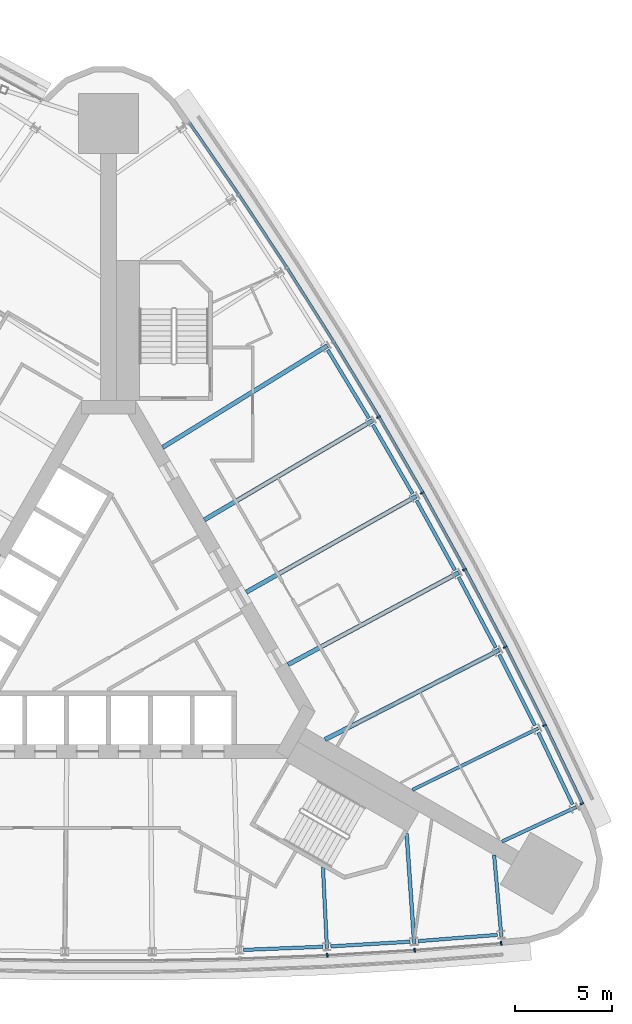
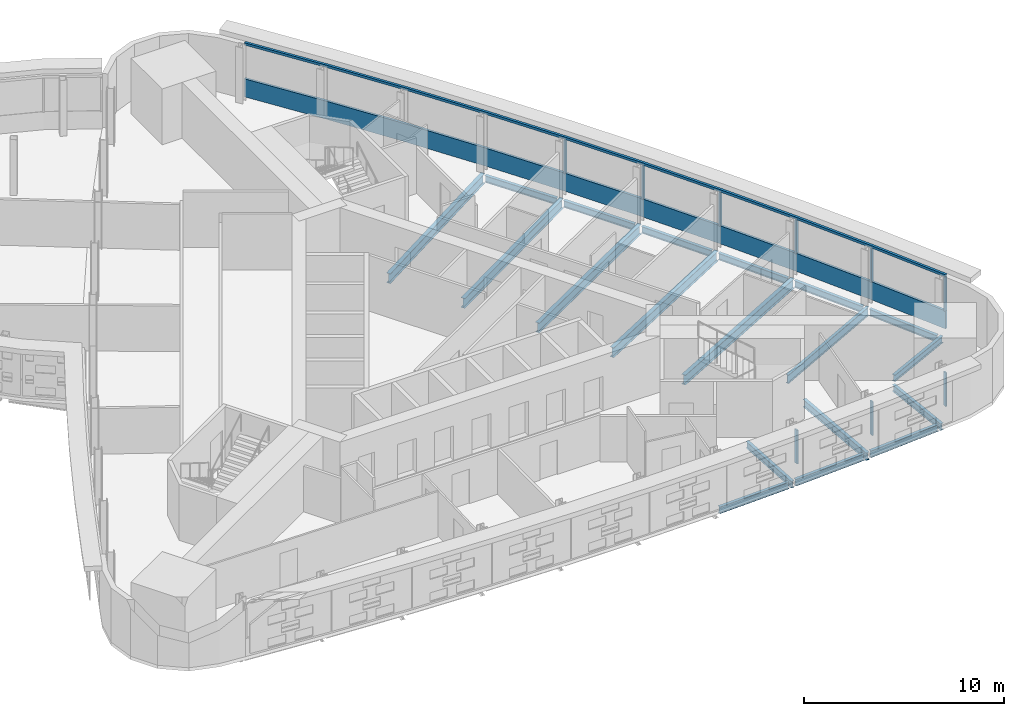
# One storey, part 7 of 17: 19 beams, 11 members, 2 elements without a shape of their own.
"""IFC4 building model written with IfcOpenShell, lengths in metres."""

from ifc_helpers import new_model, si_unit, direction, frame, origin, origin_2d, place, context, subcontext, project, spatial, polyline, rectangle, i_section, outline, extrude, material, material_profile, profile_set, type_object, element, aggregate, save


model = new_model("IFC4")

# Units and contexts
model_context = context("Model", 3, precision=1e-05, world=origin(), true_north=direction((0.0, 1.0)))
body_context = subcontext(model_context, "Body", "Model", "MODEL_VIEW")
ifc_project = project(units=[si_unit("LENGTHUNIT", "METRE"), si_unit("AREAUNIT", "SQUARE_METRE"), si_unit("VOLUMEUNIT", "CUBIC_METRE"), si_unit("PLANEANGLEUNIT", "RADIAN"), si_unit("MASSUNIT", "GRAM", prefix="KILO")], contexts=[model_context])

# Site, building, storey
site_placement = place(None, origin())
site = spatial("IfcSite", under=ifc_project, at=site_placement, CompositionType="ELEMENT")
building_placement = place(site_placement, origin())
building = spatial("IfcBuilding", under=site, at=building_placement, Name="Noor Cloister Tower", CompositionType="ELEMENT")
storey_placement = place(building_placement, frame((0.0, 0.0, 98.699951171875)))
storey = spatial("IfcBuildingStorey", under=building, at=storey_placement, Name="L25", CompositionType="ELEMENT", Elevation=98.699951171875)

# Curtain wall, member
ifc_material_1 = material(Name="Aluminium 6063-T6 anodised", Category="aluminium")
curtain_wall_type = type_object("IfcCurtainWallType", Name="Ribbon curtain wall, lower tower CW1", PredefinedType="NOTDEFINED", material=ifc_material_1)
curtain_wall_1_placement = place(storey_placement, origin())
curtain_wall_1 = element("IfcCurtainWall", 1, at=curtain_wall_1_placement, inside=storey, type_object=curtain_wall_type, Name="CW1 L25 NE run 4", PredefinedType="NOTDEFINED")
ifc_material_2 = material(Name="Aluminium 6063-T6 anodised", Category="aluminium")
member_type_1 = type_object("IfcMemberType", Name="Head transom CW1 150", PredefinedType="USERDEFINED", material=ifc_material_2)
member_1_placement = place(storey_placement, frame((0.0, 0.0, 3.150146484375)))
member_1 = element("IfcMember", 2, at=member_1_placement, type_object=member_type_1, Name="CW1 head transom", ObjectType="TRANSOM", PredefinedType="USERDEFINED", context=body_context, shape_type="SweptSolid", body=[
    extrude(outline(polyline([(24.42822265625, -9.24853515625), (22.49169921875, -5.1865234375), (20.475830078125, -1.16357421875), (18.380859375, 2.819091796875), (16.2080078125, 6.759765625), (13.9580078125, 10.65673828125), (11.6318359375, 14.5087890625), (9.230224609375, 18.314208984375), (6.754150390625, 22.07177734375), (4.204833984375, 25.77978515625), (4.08935546875, 25.700439453125), (6.63818359375, 21.993408203125), (9.112548828125, 18.23828125), (11.5126953125, 14.435302734375), (13.83740234375, 10.58544921875), (16.086181640625, 6.69091796875), (18.257568359375, 2.752685546875), (20.35107421875, -1.2275390625), (22.365966796875, -5.248046875), (24.302001953125, -9.30859375), (24.42822265625, -9.24853515625)])), origin(), (0.0, 0.0, 1.0), 0.14990234375),
])

# Curtain wall, members
curtain_wall_2_placement = place(storey_placement, origin())
curtain_wall_2 = element("IfcCurtainWall", 3, at=curtain_wall_2_placement, inside=storey, type_object=curtain_wall_type, Name="CW1 L25 S run 3", PredefinedType="NOTDEFINED")
ifc_material_3 = material(Name="Aluminium 6063-T6 anodised", Category="aluminium")
ifc_material_profile_1 = material_profile(ifc_material_3, rectangle(XDim=0.199951171875, YDim=0.080078125, at=origin_2d()), Name="200 x 80 mullion")
ifc_profile_set_1 = profile_set([ifc_material_profile_1], Name="Aluminium 6063-T6 anodised")
member_type_2 = type_object("IfcMemberType", Name="Mullion CW1 80 x 200", PredefinedType="MULLION", material=ifc_profile_set_1)
member_2_placement = place(storey_placement, frame((11.240478515625, -17.05078125, 1.10009765625), z_axis=(0.0, 0.0, 1.0), x_axis=(-0.049188322705, 0.998789521826, 0.0)))
member_2 = element("IfcMember", 4, at=member_2_placement, type_object=member_type_2, Name="CW1 mullion 8", PredefinedType="MULLION", context=body_context, shape_type="SweptSolid", body=[
    extrude(rectangle(XDim=0.199951171875, YDim=0.080078125, at=origin_2d()), origin(), (0.0, 0.0, 1.0), 2.050048828125),
])
member_3_placement = place(storey_placement, frame((15.730712890625, -16.785400390625, 1.10009765625), z_axis=(0.0, 0.0, 1.0), x_axis=(-0.068836981101, 0.997627921639, 0.0)))
member_3 = element("IfcMember", 5, at=member_3_placement, type_object=member_type_2, Name="CW1 mullion 9", PredefinedType="MULLION", context=body_context, shape_type="SweptSolid", body=[
    extrude(rectangle(XDim=0.199951171875, YDim=0.080078125, at=origin_2d()), origin(), (0.0, 0.0, 1.0), 2.050048828125),
])
member_4_placement = place(storey_placement, frame((20.17578125, -16.434814453125, 1.10009765625), z_axis=(0.0, 0.0, 1.0), x_axis=(-0.078651776212, 0.996902150714, 0.0)))
member_4 = element("IfcMember", 6, at=member_4_placement, type_object=member_type_2, Name="CW1 mullion 10", PredefinedType="MULLION", context=body_context, shape_type="SweptSolid", body=[
    extrude(rectangle(XDim=0.199951171875, YDim=0.080078125, at=origin_2d()), origin(), (0.0, 0.0, 1.0), 2.050048828125),
])
aggregate(curtain_wall_2, [member_2, member_3, member_4])

# Member
member_5_placement = place(storey_placement, frame((24.32080078125, -9.25537109375, 1.10009765625), z_axis=(0.0, 0.0, 1.0), x_axis=(-0.902668475712, -0.430336639105, 0.0)))
member_5 = element("IfcMember", 7, at=member_5_placement, type_object=member_type_2, Name="CW1 mullion 1", PredefinedType="MULLION", context=body_context, shape_type="SweptSolid", body=[
    extrude(rectangle(XDim=0.199951171875, YDim=0.080078125, at=origin_2d()), origin(), (0.0, 0.0, 1.0), 2.050048828125),
])

member_6_placement = place(storey_placement, frame((22.40185546875, -5.23046875, 1.10009765625), z_axis=(0.0, 0.0, 1.0), x_axis=(-0.898389614214, -0.439199386466, 0.0)))
member_6 = element("IfcMember", 8, at=member_6_placement, type_object=member_type_2, Name="CW1 mullion 2", PredefinedType="MULLION", context=body_context, shape_type="SweptSolid", body=[
    extrude(rectangle(XDim=0.199951171875, YDim=0.080078125, at=origin_2d()), origin(), (0.0, 0.0, 1.0), 2.050048828125),
])

member_7_placement = place(storey_placement, frame((20.38671875, -1.209228515625, 1.10009765625), z_axis=(0.0, 0.0, 1.0), x_axis=(-0.889571260287, -0.456796423881, 0.0)))
member_7 = element("IfcMember", 9, at=member_7_placement, type_object=member_type_2, Name="CW1 mullion 3", PredefinedType="MULLION", context=body_context, shape_type="SweptSolid", body=[
    extrude(rectangle(XDim=0.199951171875, YDim=0.080078125, at=origin_2d()), origin(), (0.0, 0.0, 1.0), 2.050048828125),
])

member_8_placement = place(storey_placement, frame((18.292724609375, 2.771728515625, 1.10009765625), z_axis=(0.0, 0.0, 1.0), x_axis=(-0.880408277748, -0.474216474275, 0.0)))
member_8 = element("IfcMember", 10, at=member_8_placement, type_object=member_type_2, Name="CW1 mullion 4", PredefinedType="MULLION", context=body_context, shape_type="SweptSolid", body=[
    extrude(rectangle(XDim=0.199951171875, YDim=0.080078125, at=origin_2d()), origin(), (0.0, 0.0, 1.0), 2.050048828125),
])

member_9_placement = place(storey_placement, frame((16.120849609375, 6.71044921875, 1.10009765625), z_axis=(0.0, 0.0, 1.0), x_axis=(-0.87090420026, -0.491452819678, 0.0)))
member_9 = element("IfcMember", 11, at=member_9_placement, type_object=member_type_2, Name="CW1 mullion 5", PredefinedType="MULLION", context=body_context, shape_type="SweptSolid", body=[
    extrude(rectangle(XDim=0.199951171875, YDim=0.080078125, at=origin_2d()), origin(), (0.0, 0.0, 1.0), 2.050048828125),
])

member_10_placement = place(storey_placement, frame((13.8720703125, 10.60595703125, 1.10009765625), z_axis=(0.0, 0.0, 1.0), x_axis=(-0.861062726733, -0.508498751848, 0.0)))
member_10 = element("IfcMember", 12, at=member_10_placement, type_object=member_type_2, Name="CW1 mullion 6", PredefinedType="MULLION", context=body_context, shape_type="SweptSolid", body=[
    extrude(rectangle(XDim=0.199951171875, YDim=0.080078125, at=origin_2d()), origin(), (0.0, 0.0, 1.0), 2.050048828125),
])

# Beams
ifc_material_4 = material(Name="Steel ASTM A992 Gr 50", Category="steel")
ifc_material_profile_2 = material_profile(ifc_material_4, i_section(OverallWidth=0.177978515625, OverallDepth=0.406005859375, WebThickness=0.0078125, FlangeThickness=0.0126953125, FilletRadius=0.01025390625, at=origin_2d()), Name="W410x60")
ifc_profile_set_2 = profile_set([ifc_material_profile_2], Name="Steel ASTM A992 Gr 50")
beam_type_1 = type_object("IfcBeamType", Name="Radial beam W410x60", PredefinedType="BEAM", material=ifc_profile_set_2)
beam_1_placement = place(storey_placement, frame((11.223388671875, -16.701904296875, -0.40283203125), z_axis=(-0.049178201451, 0.998790020225, 0.0), x_axis=(-0.998790020225, -0.049178201451, 0.0)))
element("IfcBeam", 13, at=beam_1_placement, inside=storey, type_object=beam_type_1, Name="Radial beam S 08 L25", PredefinedType="BEAM", context=body_context, shape_type="SweptSolid", body=[
    extrude(i_section(OverallWidth=0.177978515625, OverallDepth=0.406005859375, WebThickness=0.0078125, FlangeThickness=0.0126953125, FilletRadius=0.01025390625, at=origin_2d()), origin(), (0.0, 0.0, 1.0), 4.18505859375),
])
beam_2_placement = place(storey_placement, frame((20.183837890625, -16.08349609375, -0.40283203125), z_axis=(-0.088480829531, 0.99607787989, 0.0), x_axis=(-0.99607787989, -0.088480829531, 0.0)))
element("IfcBeam", 14, at=beam_2_placement, inside=storey, type_object=beam_type_1, Name="Radial beam S 10 L25", PredefinedType="BEAM", context=body_context, shape_type="SweptSolid", body=[
    extrude(i_section(OverallWidth=0.177978515625, OverallDepth=0.406005859375, WebThickness=0.0078125, FlangeThickness=0.0126953125, FilletRadius=0.01025390625, at=origin_2d()), origin(), (0.0, 0.0, 1.0), 4.199462890625),
])
beam_3_placement = place(storey_placement, frame((24.0205078125, -9.43798828125, -0.40283203125), z_axis=(-0.906851874526, -0.421449495989, 0.0), x_axis=(0.421449495989, -0.906851874526, 0.0)))
element("IfcBeam", 15, at=beam_3_placement, inside=storey, type_object=beam_type_1, Name="Radial beam NE 01 L25", PredefinedType="BEAM", context=body_context, shape_type="SweptSolid", body=[
    extrude(i_section(OverallWidth=0.177978515625, OverallDepth=0.406005859375, WebThickness=0.0078125, FlangeThickness=0.0126953125, FilletRadius=0.01025390625, at=origin_2d()), origin(), (0.0, 0.0, 1.0), 4.19921875),
])
ifc_material_5 = material(Name="Steel ASTM A992 Gr 50", Category="steel")
ifc_material_profile_3 = material_profile(ifc_material_5, i_section(OverallWidth=0.19091796875, OverallDepth=0.45703125, WebThickness=0.009033203125, FlangeThickness=0.014404296875, FilletRadius=0.01025390625, at=origin_2d()), Name="W460x74")
ifc_profile_set_3 = profile_set([ifc_material_profile_3], Name="Steel ASTM A992 Gr 50")
beam_type_2 = type_object("IfcBeamType", Name="Radial beam W460x74", PredefinedType="BEAM", material=ifc_profile_set_3)
beam_4_placement = place(storey_placement, frame((15.70654296875, -16.436767578125, -0.428466796875), z_axis=(-0.068806527571, 0.997630022485, 0.0), x_axis=(-0.997630022485, -0.068806527571, 0.0)))
element("IfcBeam", 16, at=beam_4_placement, inside=storey, type_object=beam_type_2, Name="Radial beam S 09 L25", PredefinedType="BEAM", context=body_context, shape_type="SweptSolid", body=[
    extrude(i_section(OverallWidth=0.19091796875, OverallDepth=0.45703125, WebThickness=0.009033203125, FlangeThickness=0.014404296875, FilletRadius=0.01025390625, at=origin_2d()), origin(), (0.0, 0.0, 1.0), 5.66650390625),
])
ifc_material_6 = material(Name="Steel ASTM A992 Gr 50", Category="steel")
ifc_material_profile_4 = material_profile(ifc_material_6, i_section(OverallWidth=0.166015625, OverallDepth=0.528076171875, WebThickness=0.009765625, FlangeThickness=0.013671875, FilletRadius=0.0126953125, at=origin_2d()), Name="W530x74")
ifc_profile_set_4 = profile_set([ifc_material_profile_4], Name="Steel ASTM A992 Gr 50")
beam_type_3 = type_object("IfcBeamType", Name="Radial beam W530x74", PredefinedType="BEAM", material=ifc_profile_set_4)
beam_5_placement = place(storey_placement, frame((22.087890625, -5.384033203125, -0.4638671875), z_axis=(-0.898387033035, -0.439204666271, 0.0), x_axis=(0.439204666271, -0.898387033035, 0.0)))
element("IfcBeam", 17, at=beam_5_placement, inside=storey, type_object=beam_type_3, Name="Radial beam NE 02 L25", PredefinedType="BEAM", context=body_context, shape_type="SweptSolid", body=[
    extrude(i_section(OverallWidth=0.166015625, OverallDepth=0.528076171875, WebThickness=0.009765625, FlangeThickness=0.013671875, FilletRadius=0.0126953125, at=origin_2d()), origin(), (0.0, 0.0, 1.0), 7.210205078125),
])
ifc_material_7 = material(Name="Steel ASTM A992 Gr 50", Category="steel")
ifc_material_profile_5 = material_profile(ifc_material_7, i_section(OverallWidth=0.22802734375, OverallDepth=0.60205078125, WebThickness=0.010498046875, FlangeThickness=0.014892578125, FilletRadius=0.0126953125, at=origin_2d()), Name="W610x101")
ifc_profile_set_5 = profile_set([ifc_material_profile_5], Name="Steel ASTM A992 Gr 50")
beam_type_4 = type_object("IfcBeamType", Name="Radial beam W610x101", PredefinedType="BEAM", material=ifc_profile_set_5)
beam_6_placement = place(storey_placement, frame((20.075927734375, -1.368896484375, -0.5009765625), z_axis=(-0.889579280907, -0.456780804085, 0.0), x_axis=(0.456780804085, -0.889579280907, 0.0)))
element("IfcBeam", 18, at=beam_6_placement, inside=storey, type_object=beam_type_4, Name="Radial beam NE 03 L25", PredefinedType="BEAM", context=body_context, shape_type="SweptSolid", body=[
    extrude(i_section(OverallWidth=0.22802734375, OverallDepth=0.60205078125, WebThickness=0.010498046875, FlangeThickness=0.014892578125, FilletRadius=0.0126953125, at=origin_2d()), origin(), (0.0, 0.0, 1.0), 10.057861328125),
])
beam_7_placement = place(storey_placement, frame((17.985107421875, 2.60595703125, -0.5009765625), z_axis=(-0.880406516163, -0.474219744736, 0.0), x_axis=(0.474219744736, -0.880406516163, 0.0)))
element("IfcBeam", 19, at=beam_7_placement, inside=storey, type_object=beam_type_4, Name="Radial beam NE 04 L25", PredefinedType="BEAM", context=body_context, shape_type="SweptSolid", body=[
    extrude(i_section(OverallWidth=0.22802734375, OverallDepth=0.60205078125, WebThickness=0.010498046875, FlangeThickness=0.014892578125, FilletRadius=0.0126953125, at=origin_2d()), origin(), (0.0, 0.0, 1.0), 9.95458984375),
])
for number, where, z_axis, x_axis, name in (
    (20, (15.816650390625, 6.538818359375, -0.5009765625), (-0.870901874431, -0.491456941259, 0.0), (0.491456941259, -0.870901874431, 0.0), "Radial beam NE 05 L25"),
    (21, (13.571044921875, 10.42822265625, -0.5009765625), (-0.86106399039, -0.508496612038, 0.0), (0.508496612038, -0.86106399039, 0.0), "Radial beam NE 06 L25"),
):
    element("IfcBeam", number, at=place(storey_placement, frame(where, z_axis=z_axis, x_axis=x_axis)), inside=storey, type_object=beam_type_4, Name=name, PredefinedType="BEAM", context=body_context, shape_type="SweptSolid", body=[
        extrude(i_section(OverallWidth=0.22802734375, OverallDepth=0.60205078125, WebThickness=0.010498046875, FlangeThickness=0.014892578125, FilletRadius=0.0126953125, at=origin_2d()), origin(), (0.0, 0.0, 1.0), 10.039306640625),
    ])
beam_8_placement = place(storey_placement, frame((11.249267578125, 14.272705078125, -0.5009765625), z_axis=(-0.850881836439, -0.525357117034, 0.0), x_axis=(0.525357117034, -0.850881836439, 0.0)))
element("IfcBeam", 22, at=beam_8_placement, inside=storey, type_object=beam_type_4, Name="Radial beam NE 07 L25", PredefinedType="BEAM", context=body_context, shape_type="SweptSolid", body=[
    extrude(i_section(OverallWidth=0.22802734375, OverallDepth=0.60205078125, WebThickness=0.010498046875, FlangeThickness=0.014892578125, FilletRadius=0.0126953125, at=origin_2d()), origin(), (0.0, 0.0, 1.0), 9.95458984375),
])

# Member
ifc_material_8 = material(Name="Aluminium 6063-T6 anodised", Category="aluminium")
member_type_3 = type_object("IfcMemberType", Name="Sill transom CW1 1100", PredefinedType="USERDEFINED", material=ifc_material_8)
member_11_placement = place(storey_placement, origin())
member_11 = element("IfcMember", 23, at=member_11_placement, type_object=member_type_3, Name="CW1 sill transom", ObjectType="TRANSOM", PredefinedType="USERDEFINED", context=body_context, shape_type="SweptSolid", body=[
    extrude(outline(polyline([(24.42822265625, -9.24853515625), (22.49169921875, -5.1865234375), (20.475830078125, -1.16357421875), (18.380859375, 2.819091796875), (16.2080078125, 6.759765625), (13.9580078125, 10.65673828125), (11.6318359375, 14.5087890625), (9.230224609375, 18.314208984375), (6.754150390625, 22.07177734375), (4.204833984375, 25.77978515625), (4.08935546875, 25.700439453125), (6.63818359375, 21.993408203125), (9.112548828125, 18.23828125), (11.5126953125, 14.435302734375), (13.83740234375, 10.58544921875), (16.086181640625, 6.69091796875), (18.257568359375, 2.752685546875), (20.35107421875, -1.2275390625), (22.365966796875, -5.248046875), (24.302001953125, -9.30859375), (24.42822265625, -9.24853515625)])), origin(), (0.0, 0.0, 1.0), 1.10009765625),
])

aggregate(curtain_wall_1, [member_5, member_6, member_7, member_8, member_9, member_10, member_11, member_1])

# Beams
ifc_material_9 = material(Name="Steel ASTM A992 Gr 50", Category="steel")
ifc_material_profile_6 = material_profile(ifc_material_9, i_section(OverallWidth=0.177978515625, OverallDepth=0.406005859375, WebThickness=0.0078125, FlangeThickness=0.0126953125, FilletRadius=0.01025390625, at=origin_2d()), Name="W410x60")
ifc_profile_set_6 = profile_set([ifc_material_profile_6], Name="Steel ASTM A992 Gr 50")
beam_type_5 = type_object("IfcBeamType", Name="Spandrel beam W410x60", PredefinedType="SPANDREL", material=ifc_profile_set_6)
for number, where, z_axis, x_axis, name in (
    (24, (6.93310546875, -16.770263671875, -0.40283203125), (0.999225288123, 0.039355095916, 0.0), (-0.039355095916, 0.999225288123, 0.0), "Spandrel beam S 07 L25"),
    (25, (11.41845703125, -16.589599609375, -0.40283203125), (0.998257859765, 0.059002079771, 0.0), (-0.059002079771, 0.998257859765, 0.0), "Spandrel beam S 08 L25"),
    (26, (15.899658203125, -16.32080078125, -0.40283203125), (0.996902216322, 0.078650944641, 0.0), (-0.078650944641, 0.996902216322, 0.0), "Spandrel beam S 09 L25"),
    (27, (23.84326171875, -9.29931640625, -0.40283203125), (-0.430341530423, 0.902666143817, 0.0), (-0.902666143817, -0.430341530423, 0.0), "Spandrel beam NE 01 L25"),
    (28, (21.90771484375, -5.248779296875, -0.40283203125), (-0.448025614309, 0.894020720634, 0.0), (-0.894020720634, -0.448025614309, 0.0), "Spandrel beam NE 02 L25"),
    (29, (19.89306640625, -1.2373046875, -0.40283203125), (-0.465512591223, 0.885041257464, 0.0), (-0.885041257464, -0.465512591223, 0.0), "Spandrel beam NE 03 L25"),
):
    element("IfcBeam", number, at=place(storey_placement, frame(where, z_axis=z_axis, x_axis=x_axis)), inside=storey, type_object=beam_type_5, Name=name, PredefinedType="SPANDREL", context=body_context, shape_type="SweptSolid", body=[
        extrude(i_section(OverallWidth=0.177978515625, OverallDepth=0.406005859375, WebThickness=0.0078125, FlangeThickness=0.0126953125, FilletRadius=0.01025390625, at=origin_2d()), origin(), (0.0, 0.0, 1.0), 4.088134765625),
    ])
beam_9_placement = place(storey_placement, frame((17.7998046875, 2.73388671875, -0.40283203125), z_axis=(-0.482851559561, 0.875702216184, 0.0), x_axis=(-0.875702216184, -0.482851559561, 0.0)))
element("IfcBeam", 30, at=beam_9_placement, inside=storey, type_object=beam_type_5, Name="Spandrel beam NE 04 L25", PredefinedType="SPANDREL", context=body_context, shape_type="SweptSolid", body=[
    extrude(i_section(OverallWidth=0.177978515625, OverallDepth=0.406005859375, WebThickness=0.0078125, FlangeThickness=0.0126953125, FilletRadius=0.01025390625, at=origin_2d()), origin(), (0.0, 0.0, 1.0), 4.087890625),
])
for number, where, z_axis, x_axis, name in (
    (31, (15.62890625, 6.6630859375, -0.40283203125), (-0.500037791097, 0.866003583985, 0.0), (-0.866003583985, -0.500037791097, 0.0), "Spandrel beam NE 05 L25"),
    (32, (13.380859375, 10.548583984375, -0.40283203125), (-0.516935158604, 0.856024556773, 0.0), (-0.856024556773, -0.516935158604, 0.0), "Spandrel beam NE 06 L25"),
):
    element("IfcBeam", number, at=place(storey_placement, frame(where, z_axis=z_axis, x_axis=x_axis)), inside=storey, type_object=beam_type_5, Name=name, PredefinedType="SPANDREL", context=body_context, shape_type="SweptSolid", body=[
        extrude(i_section(OverallWidth=0.177978515625, OverallDepth=0.406005859375, WebThickness=0.0078125, FlangeThickness=0.0126953125, FilletRadius=0.01025390625, at=origin_2d()), origin(), (0.0, 0.0, 1.0), 4.088134765625),
    ])

save(model, "model.ifc")
